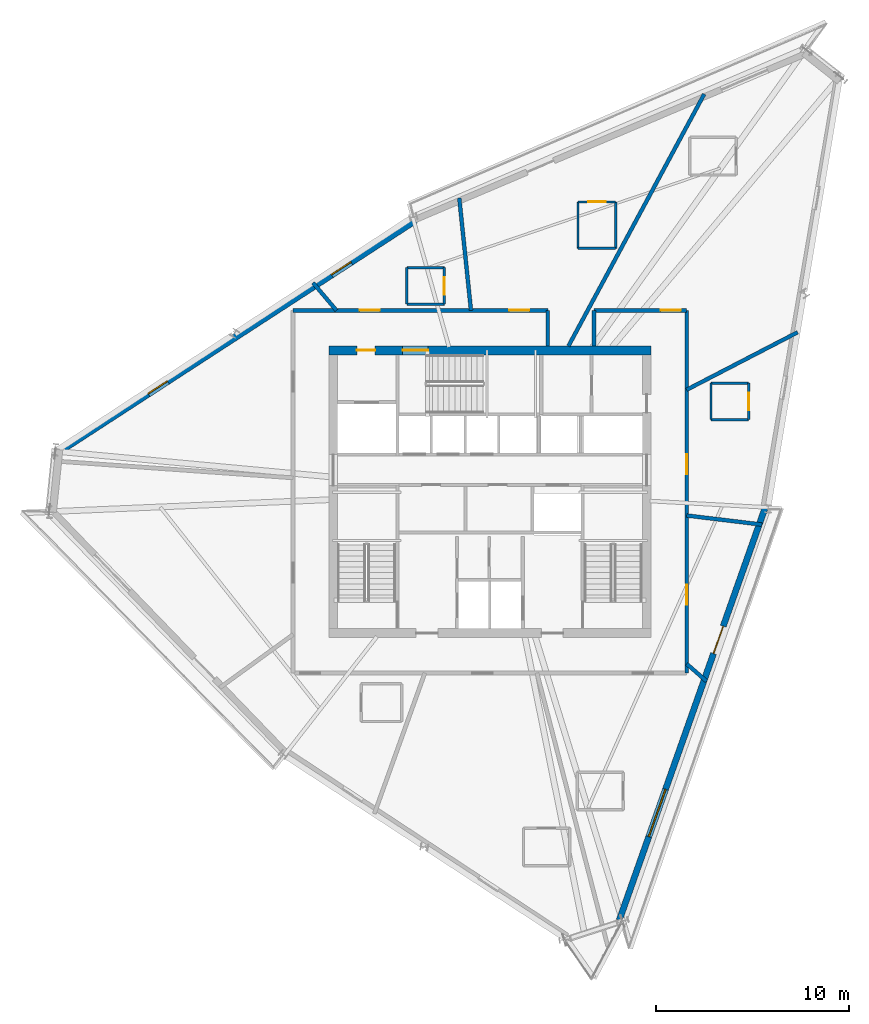
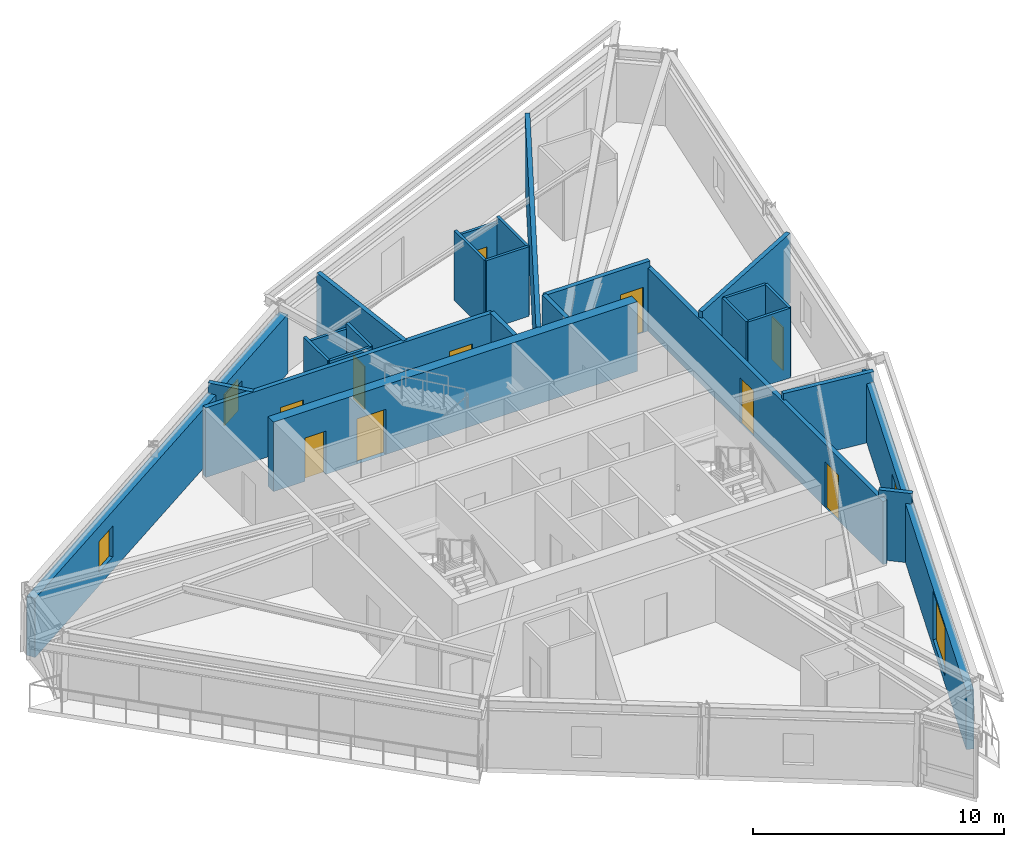
# One storey, part 9 of 13: 26 walls, 11 doors, 3 windows, 14 openings.
"""IFC4 building model written with IfcOpenShell, lengths in metres."""

import ifcopenshell
import ifcopenshell.guid

model = None  # the IFC model being written
_history = None  # IfcOwnerHistory: only IFC2X3 demands one
_inside = {}  # id of a spatial element -> (the spatial element, [elements in it])
_under = {}  # id of a project, library or spatial element -> (it, [spatial elements below it])
_declared = {}  # id of a project -> (the project, [libraries it declares])
_typed = {}  # id of a type object -> (the type object, [elements of that type])
_made_of = {}  # id of a material, layer set ... -> (it, [elements and type objects made of it])


def new_model(schema):
    """Start an empty IFC model of exactly this schema.

    Asked for "IFC4X3", IfcOpenShell would pick the latest addendum, in which some entities
    have other attributes; the version numbers below select the first issue.
    IFC2X3 requires an IfcOwnerHistory on every rooted entity: one is made here for all.
    """
    global model, _history
    if schema == "IFC4X3":
        model = ifcopenshell.file(schema_version=(4, 3, 0, 0))
    else:
        model = ifcopenshell.file(schema=schema)
    _inside.clear()
    _under.clear()
    _declared.clear()
    _typed.clear()
    _made_of.clear()
    _history = None
    if model.schema == "IFC2X3":
        org = make("IfcOrganization", Name="unknown")
        user = make(
            "IfcPersonAndOrganization",
            ThePerson=make("IfcPerson", FamilyName="unknown"),
            TheOrganization=org,
        )
        app = make(
            "IfcApplication",
            ApplicationDeveloper=org,
            Version="unknown",
            ApplicationFullName="unknown",
            ApplicationIdentifier="unknown",
        )
        _history = make(
            "IfcOwnerHistory",
            OwningUser=user,
            OwningApplication=app,
            ChangeAction="ADDED",
            CreationDate=0,
        )
    return model


def make(cls, **values):
    """One entity of the class cls with the attributes given. An attribute that is None is left unset."""
    return model.create_entity(
        cls, **{name: value for name, value in values.items() if value is not None}
    )


def rooted(cls, **values):
    """An entity with a GlobalId (a new one), such as an element, a storey or a relation."""
    return make(cls, GlobalId=ifcopenshell.guid.new(), OwnerHistory=_history, **values)


def si_unit(unit_type, name, prefix=None):
    """IfcSIUnit, for example si_unit("LENGTHUNIT", "METRE", prefix="MILLI")."""
    return make("IfcSIUnit", UnitType=unit_type, Prefix=prefix, Name=name)


def assignment(units):
    """IfcUnitAssignment: the units of a project."""
    return None if units is None else make("IfcUnitAssignment", Units=units)


def point(xyz):
    """IfcCartesianPoint."""
    return None if xyz is None else make("IfcCartesianPoint", Coordinates=xyz)


def direction(xyz):
    """IfcDirection."""
    return None if xyz is None else make("IfcDirection", DirectionRatios=xyz)


def frame(location, z_axis=None, x_axis=None):
    """IfcAxis2Placement3D, a coordinate frame: its origin and axes. An axis left out is left unset."""
    return make(
        "IfcAxis2Placement3D",
        Location=point(location),
        Axis=direction(z_axis),
        RefDirection=direction(x_axis),
    )


def frame_2d(location, x_axis=None):
    """IfcAxis2Placement2D, a coordinate frame in the plane: its origin and x axis."""
    return make(
        "IfcAxis2Placement2D", Location=point(location), RefDirection=direction(x_axis)
    )


def origin():
    """The frame at (0, 0, 0) with its axes left unset."""
    return frame((0.0, 0.0, 0.0))


def place(relative_to, where):
    """IfcLocalPlacement: puts the frame where relative to a parent placement (None: the world)."""
    return make(
        "IfcLocalPlacement", PlacementRelTo=relative_to, RelativePlacement=where
    )


def context(
    kind, dimensions, precision=None, world=None, true_north=None, identifier=None
):
    """IfcGeometricRepresentationContext, for example the 3D "Model" context."""
    return make(
        "IfcGeometricRepresentationContext",
        ContextIdentifier=identifier,
        ContextType=kind,
        CoordinateSpaceDimension=dimensions,
        Precision=precision,
        WorldCoordinateSystem=world,
        TrueNorth=true_north,
    )


def subcontext(parent, identifier, kind, view, scale=None):
    """IfcGeometricRepresentationSubContext, for example "Body" below "Model"."""
    return make(
        "IfcGeometricRepresentationSubContext",
        ContextIdentifier=identifier,
        ContextType=kind,
        ParentContext=parent,
        TargetScale=scale,
        TargetView=view,
    )


def project(units=None, contexts=None):
    """IfcProject with its units and contexts."""
    return rooted(
        "IfcProject",
        Name="project",
        RepresentationContexts=contexts,
        UnitsInContext=assignment(units),
    )


def spatial(cls, under=None, at=None, **own):
    """A site, building, storey or space (cls), placed at a placement, below another one or the project."""
    s = rooted(cls, ObjectPlacement=at, **own)
    if under is not None:
        _under.setdefault(under.id(), (under, []))[1].append(s)
    return s


def profile(cls, at=None, kind="AREA", **sizes):
    """A parametric profile (cls). Its sizes go by their IFC names, for example OverallWidth=200.0."""
    return make(cls, ProfileType=kind, Position=at, **sizes)


def rectangle(**sizes):
    """IfcRectangleProfileDef."""
    return profile("IfcRectangleProfileDef", **sizes)


def extrude(swept, where, along, depth):
    """IfcExtrudedAreaSolid: the profile swept, set in the frame where, extruded along a direction by depth."""
    return make(
        "IfcExtrudedAreaSolid",
        SweptArea=swept,
        Position=where,
        ExtrudedDirection=direction(along),
        Depth=depth,
    )


def shape(context_of_items, identifier, shape_type, items):
    """IfcShapeRepresentation: the items that make up one representation, for example the "Body"."""
    return make(
        "IfcShapeRepresentation",
        ContextOfItems=context_of_items,
        RepresentationIdentifier=identifier,
        RepresentationType=shape_type,
        Items=items,
    )


def source(mapping_origin, context_of_items, identifier, shape_type, items):
    """IfcRepresentationMap: a shape defined once, which mapped items show again and again."""
    return make(
        "IfcRepresentationMap",
        MappingOrigin=mapping_origin,
        MappedRepresentation=shape(context_of_items, identifier, shape_type, items),
    )


def transform(
    local_origin,
    x_axis=None,
    y_axis=None,
    z_axis=None,
    scale=None,
    scale2=None,
    scale3=None,
    uniform=True,
):
    """IfcCartesianTransformationOperator3D, or its non-uniform kind. x_axis, y_axis, z_axis: its Axis1, 2, 3."""
    if uniform:
        return make(
            "IfcCartesianTransformationOperator3D",
            Axis1=direction(x_axis),
            Axis2=direction(y_axis),
            LocalOrigin=point(local_origin),
            Scale=scale,
            Axis3=direction(z_axis),
        )
    return make(
        "IfcCartesianTransformationOperator3DnonUniform",
        Axis1=direction(x_axis),
        Axis2=direction(y_axis),
        LocalOrigin=point(local_origin),
        Scale=scale,
        Axis3=direction(z_axis),
        Scale2=scale2,
        Scale3=scale3,
    )


def mapped(mapping_source, mapping_target):
    """IfcMappedItem: shows the shape of a source again, moved by a transform."""
    return make(
        "IfcMappedItem", MappingSource=mapping_source, MappingTarget=mapping_target
    )


def material(Name=None, Category=None):
    """IfcMaterial."""
    return make("IfcMaterial", Name=Name, Category=Category)


def layer(
    of_material, thickness, ventilated=None, Name=None, Category=None, Priority=None
):
    """IfcMaterialLayer: one layer of a wall or slab, of a material (None: an air gap)."""
    return make(
        "IfcMaterialLayer",
        Material=of_material,
        LayerThickness=thickness,
        IsVentilated=ventilated,
        Name=Name,
        Category=Category,
        Priority=Priority,
    )


def layer_set(layers, Name=None):
    """IfcMaterialLayerSet."""
    return make("IfcMaterialLayerSet", MaterialLayers=layers, LayerSetName=Name)


def made_of(thing, what):
    """Note that an element or type object is made of a material, layer set ...; save() writes the relation."""
    if what is not None:
        _made_of.setdefault(what.id(), (what, []))[1].append(thing)
    return thing


def type_object(cls, material=None, **own):
    """A type object (cls), such as IfcWallType, which elements share."""
    return made_of(rooted(cls, **own), material)


def type_shapes(of_type, sources):
    """Give a type object the sources (RepresentationMaps) that its elements show as mapped items."""
    of_type.RepresentationMaps = sources


def element(
    cls,
    number,
    at=None,
    inside=None,
    cuts=None,
    type_object=None,
    material=None,
    context=None,
    identifier="Body",
    shape_type=None,
    held_by="IfcProductDefinitionShape",
    body=None,
    shapes=None,
    **own,
):
    """One element of the class cls, such as IfcWall. Its Tag is "e" and its number.

    at: its placement. inside: the storey or other place that contains it. cuts: it is an
    opening in that element (IfcRelVoidsElement). A single representation is given by context,
    identifier, shape_type and body (its items); several are given by shapes. held_by: the class
    of the entity that holds the representations. save() writes the other relations.
    """
    e = rooted(cls, Tag="e%d" % number, ObjectPlacement=at, **own)
    if body is not None:
        shapes = [shape(context, identifier, shape_type, body)]
    if shapes is not None:
        e.Representation = make(held_by, Representations=shapes)
    if inside is not None:
        _inside.setdefault(inside.id(), (inside, []))[1].append(e)
    if cuts is not None:
        rooted(
            "IfcRelVoidsElement", RelatingBuildingElement=cuts, RelatedOpeningElement=e
        )
    if type_object is not None:
        _typed.setdefault(type_object.id(), (type_object, []))[1].append(e)
    return made_of(e, material)


def fill(opening, filler):
    """IfcRelFillsElement: the door or window that sits in an opening."""
    return rooted(
        "IfcRelFillsElement",
        RelatingOpeningElement=opening,
        RelatedBuildingElement=filler,
    )


def aggregate(whole, parts):
    """IfcRelAggregates: a whole, such as a stair, and the parts it consists of."""
    return rooted("IfcRelAggregates", RelatingObject=whole, RelatedObjects=parts)


def save(model, path):
    """Write the relations noted so far, then the file.

    IfcRelAggregates (storeys below a building ...), IfcRelContainedInSpatialStructure (elements
    in a storey), IfcRelDefinesByType, IfcRelAssociatesMaterial and IfcRelDeclares: one each for
    every whole, place, type object, material and project.
    """
    for whole, parts in _under.values():
        aggregate(whole, parts)
    for where, things in _inside.values():
        rooted(
            "IfcRelContainedInSpatialStructure",
            RelatedElements=things,
            RelatingStructure=where,
        )
    for kind, things in _typed.values():
        rooted("IfcRelDefinesByType", RelatedObjects=things, RelatingType=kind)
    for what, things in _made_of.values():
        rooted("IfcRelAssociatesMaterial", RelatedObjects=things, RelatingMaterial=what)
    for by, libraries in _declared.values():
        rooted("IfcRelDeclares", RelatingContext=by, RelatedDefinitions=libraries)
    model.write(path)


model = new_model("IFC4")

# Units and contexts
model_context = context("Model", 3, precision=1e-05, world=origin(), true_north=direction((0.0, 1.0)))
body_context = subcontext(model_context, "Body", "Model", "MODEL_VIEW")
ifc_project = project(units=[si_unit("LENGTHUNIT", "METRE"), si_unit("AREAUNIT", "SQUARE_METRE"), si_unit("VOLUMEUNIT", "CUBIC_METRE"), si_unit("PLANEANGLEUNIT", "RADIAN"), si_unit("MASSUNIT", "GRAM", prefix="KILO")], contexts=[model_context])

# Site, building, storey
site_placement = place(None, origin())
site = spatial("IfcSite", under=ifc_project, at=site_placement, CompositionType="ELEMENT")
building_placement = place(site_placement, origin())
building = spatial("IfcBuilding", under=site, at=building_placement, Name="Olszyna Solenne Hotel", CompositionType="ELEMENT")
storey_placement = place(building_placement, frame((0.0, 0.0, 248.89990234375)))
storey = spatial("IfcBuildingStorey", under=building, at=storey_placement, Name="L66", CompositionType="ELEMENT", Elevation=248.89990234375)

# Wall, openings, doors
ifc_material_1 = material(Name="Concrete C50/60", Category="concrete")
ifc_layer_1 = layer(ifc_material_1, 0.449951171875, Name="Concrete C50/60")
ifc_layer_set_1 = layer_set([ifc_layer_1], Name="Concrete C50/60")
wall_type_1 = type_object("IfcWallType", Name="WL-CR450", PredefinedType="SHEAR", material=ifc_layer_set_1)
wall_1_placement = place(storey_placement, frame((29.64990234375, 33.925048828125, 0.0), z_axis=(0.0, 0.0, 1.0), x_axis=(1.0, 0.0, 0.0)))
wall_1 = element("IfcWall", 1, at=wall_1_placement, inside=storey, type_object=wall_type_1, Name="Core shear wall WL-CR450 CRW-L66-N", PredefinedType="SHEAR", context=body_context, shape_type="SweptSolid", body=[
    extrude(rectangle(XDim=16.7001953125, YDim=0.449951171875, at=frame_2d((8.35009765625, 0.0))), origin(), (0.0, 0.0, 1.0), 3.380126953125),
])
opening_1_placement = place(wall_1_placement, frame((1.449951171875, 0.0, 0.0)))
opening_1 = element("IfcOpeningElement", 2, at=opening_1_placement, cuts=wall_1, Name="Opening SVD-L66-01", PredefinedType="OPENING", context=body_context, shape_type="SweptSolid", body=[
    extrude(rectangle(XDim=0.949951171875, YDim=2.10009765625, at=frame_2d((0.47509765625, 1.050048828125))), frame((0.0, 0.23486328125, 0.0), z_axis=(0.0, -1.0, 0.0), x_axis=(1.0, 0.0, 0.0)), (0.0, 0.0, 1.0), 0.469970703125),
])
opening_2_placement = place(wall_1_placement, frame((3.830078125, 0.0, 0.0)))
opening_2 = element("IfcOpeningElement", 3, at=opening_2_placement, cuts=wall_1, Name="Opening STD-L66-03", PredefinedType="OPENING", context=body_context, shape_type="SweptSolid", body=[
    extrude(rectangle(XDim=1.320068359375, YDim=2.199951171875, at=frame_2d((0.66015625, 1.10009765625))), frame((0.0, 0.23486328125, 0.0), z_axis=(0.0, -1.0, 0.0), x_axis=(1.0, 0.0, 0.0)), (0.0, 0.0, 1.0), 0.469970703125),
])
ifc_material_2 = material(Name="Steel S355J2", Category="steel")
door_type_1 = type_object("IfcDoorType", Name="DR-ST1", OperationType="NOTDEFINED", PredefinedType="DOOR", material=ifc_material_2)
shared_shape_1 = source(origin(), body_context, "Body", "SweptSolid", [
    extrude(rectangle(XDim=1.320068359375, YDim=2.199951171875, at=frame_2d((0.66015625, 1.10009765625))), frame((0.0, 0.02490234375, 0.0), z_axis=(0.0, -1.0, 0.0), x_axis=(1.0, 0.0, 0.0)), (0.0, 0.0, 1.0), 0.050048828125),
])
type_shapes(door_type_1, [shared_shape_1])
door_1_placement = place(opening_2_placement, origin())
door_1 = element("IfcDoor", 4, at=door_1_placement, inside=storey, type_object=door_type_1, Name="Pressurised exit stair ST3 fire door STD-L66-03", OperationType="SINGLE_SWING_RIGHT", OverallHeight=2.199951171875, OverallWidth=1.320068359375, PredefinedType="DOOR", context=body_context, shape_type="MappedRepresentation", body=[
    mapped(shared_shape_1, transform((0.0, 0.0, 0.0), x_axis=(1.0, 0.0, 0.0), y_axis=(0.0, 1.0, 0.0), z_axis=(0.0, 0.0, 1.0), scale=1.0)),
])
fill(opening_2, door_1)
door_type_2 = type_object("IfcDoorType", Name="DR-SV1", OperationType="NOTDEFINED", PredefinedType="DOOR", material=ifc_material_2)
shared_shape_2 = source(origin(), body_context, "Body", "SweptSolid", [
    extrude(rectangle(XDim=0.949951171875, YDim=2.10009765625, at=frame_2d((0.47509765625, 1.050048828125))), frame((0.0, 0.02490234375, 0.0), z_axis=(0.0, -1.0, 0.0), x_axis=(1.0, 0.0, 0.0)), (0.0, 0.0, 1.0), 0.050048828125),
])
type_shapes(door_type_2, [shared_shape_2])
door_2_placement = place(opening_1_placement, origin())
door_2 = element("IfcDoor", 5, at=door_2_placement, inside=storey, type_object=door_type_2, Name="Service lift lobby fire door SVD-L66-01", OperationType="SINGLE_SWING_LEFT", OverallHeight=2.10009765625, OverallWidth=0.949951171875, PredefinedType="DOOR", context=body_context, shape_type="MappedRepresentation", body=[
    mapped(shared_shape_2, transform((0.0, 0.0, 0.0), x_axis=(1.0, 0.0, 0.0), y_axis=(0.0, 1.0, 0.0), z_axis=(0.0, 0.0, 1.0), scale=1.0)),
])
fill(opening_1, door_2)

# Wall, openings, door, window
ifc_material_3 = material(Name="Precast concrete C45/55", Category="concrete")
ifc_layer_2 = layer(ifc_material_3, 0.320068359375, Name="Precast concrete C45/55")
ifc_layer_set_2 = layer_set([ifc_layer_2], Name="Precast concrete C45/55")
wall_type_2 = type_object("IfcWallType", Name="WL-EX320", PredefinedType="SOLIDWALL", material=ifc_layer_set_2)
wall_2_placement = place(storey_placement, frame((52.260986328125, 25.7548828125, 0.0), z_axis=(0.0, 0.0, 1.0), x_axis=(-0.333397626213, -0.94278630815, 0.0)))
wall_2 = element("IfcWall", 6, at=wall_2_placement, inside=storey, type_object=wall_type_2, Name="Exterior terracotta-precast frame wall WL-EX320 EW-L66-01", PredefinedType="SOLIDWALL", context=body_context, shape_type="SweptSolid", body=[
    extrude(rectangle(XDim=22.663330078125, YDim=0.320068359375, at=frame_2d((11.33154296875, 0.0))), origin(), (0.0, 0.0, 1.0), 2.8720703125),
])
opening_3_placement = place(wall_2_placement, frame((6.501953125, 0.0, 0.0)))
opening_3 = element("IfcOpeningElement", 7, at=opening_3_placement, cuts=wall_2, Name="Opening LDG-L66-3", PredefinedType="OPENING", context=body_context, shape_type="SweptSolid", body=[
    extrude(rectangle(XDim=1.5, YDim=2.300048828125, at=frame_2d((0.75, 1.14990234375))), frame((0.0, 0.169921875, 0.0), z_axis=(0.0, -1.0, 0.0), x_axis=(1.0, 0.0, 0.0)), (0.0, 0.0, 1.0), 0.340087890625),
])
opening_4_placement = place(wall_2_placement, frame((15.470947265625, 0.0, 0.402099609375)))
opening_4 = element("IfcOpeningElement", 8, at=opening_4_placement, cuts=wall_2, Name="Opening WN-L66-432", PredefinedType="OPENING", context=body_context, shape_type="SweptSolid", body=[
    extrude(rectangle(XDim=2.60009765625, YDim=2.35009765625, at=frame_2d((1.300048828125, 1.175048828125))), frame((0.0, 0.169921875, 0.0), z_axis=(0.0, -1.0, 0.0), x_axis=(1.0, 0.0, 0.0)), (0.0, 0.0, 1.0), 0.340087890625),
])
ifc_material_4 = material(Name="Anodised bronze aluminium", Category="aluminium")
door_type_3 = type_object("IfcDoorType", Name="DR-LG2", OperationType="DOUBLE_DOOR_SINGLE_SWING", PredefinedType="DOOR", material=ifc_material_4)
shared_shape_3 = source(origin(), body_context, "Body", "SweptSolid", [
    extrude(rectangle(XDim=1.5, YDim=2.300048828125, at=frame_2d((0.75, 1.14990234375))), frame((0.0, 0.02490234375, 0.0), z_axis=(0.0, -1.0, 0.0), x_axis=(1.0, 0.0, 0.0)), (0.0, 0.0, 1.0), 0.050048828125),
])
type_shapes(door_type_3, [shared_shape_3])
door_3_placement = place(opening_3_placement, origin())
door_3 = element("IfcDoor", 9, at=door_3_placement, inside=storey, type_object=door_type_3, Name="Exterior loggia balcony door DR-LG2 LDG-L66-3", OperationType="DOUBLE_DOOR_SINGLE_SWING", OverallHeight=2.300048828125, OverallWidth=1.5, PredefinedType="DOOR", context=body_context, shape_type="MappedRepresentation", body=[
    mapped(shared_shape_3, transform((0.0, 0.0, 0.0), x_axis=(1.0, 0.0, 0.0), y_axis=(0.0, 1.0, 0.0), z_axis=(0.0, 0.0, 1.0), scale=1.0)),
])
fill(opening_3, door_3)
ifc_material_5 = material(Name="Low-E triple glazing", Category="glass")
window_type_1 = type_object("IfcWindowType", Name="WN-ST1", PartitioningType="SINGLE_PANEL", PredefinedType="WINDOW", material=ifc_material_5)
shared_shape_4 = source(origin(), body_context, "Body", "SweptSolid", [
    extrude(rectangle(XDim=2.60009765625, YDim=2.35009765625, at=frame_2d((1.300048828125, 1.175048828125))), frame((0.0, 0.030029296875, 0.0), z_axis=(0.0, -1.0, 0.0), x_axis=(1.0, 0.0, 0.0)), (0.0, 0.0, 1.0), 0.06005859375),
])
type_shapes(window_type_1, [shared_shape_4])
window_1_placement = place(opening_4_placement, origin())
window_1 = element("IfcWindow", 10, at=window_1_placement, inside=storey, type_object=window_type_1, Name="Loggia room window WN-ST1 WN-L66-432", OverallHeight=2.35009765625, OverallWidth=2.60009765625, PartitioningType="SINGLE_PANEL", PredefinedType="WINDOW", context=body_context, shape_type="MappedRepresentation", body=[
    mapped(shared_shape_4, transform((0.0, 0.0, 0.0), x_axis=(1.0, 0.0, 0.0), y_axis=(0.0, 1.0, 0.0), z_axis=(0.0, 0.0, 1.0), scale=1.0)),
])
fill(opening_4, window_1)

# Wall, openings, windows
ifc_material_6 = material(Name="Terracotta cladding on precast concrete C45/55", Category="masonry")
ifc_layer_3 = layer(ifc_material_6, 0.3798828125, Name="Terracotta cladding on precast concrete C45/55")
ifc_layer_set_3 = layer_set([ifc_layer_3], Name="Terracotta cladding on precast concrete C45/55")
wall_type_3 = type_object("IfcWallType", Name="WL-EX380", PredefinedType="SOLIDWALL", material=ifc_layer_set_3)
wall_3_placement = place(storey_placement, frame((15.583984375, 28.63671875, 0.0), z_axis=(0.0, 0.0, 1.0), x_axis=(0.838692120157, 0.544605846083, 0.0)))
wall_3 = element("IfcWall", 11, at=wall_3_placement, inside=storey, type_object=wall_type_3, Name="Exterior terracotta-precast frame wall WL-EX380 EW-L66-07", PredefinedType="SOLIDWALL", context=body_context, shape_type="SweptSolid", body=[
    extrude(rectangle(XDim=22.1240234375, YDim=0.3798828125, at=frame_2d((11.06201171875, 0.0))), origin(), (0.0, 0.0, 1.0), 2.8720703125),
])
opening_5_placement = place(wall_3_placement, frame((5.594970703125, 0.0, 0.64990234375)))
opening_5 = element("IfcOpeningElement", 12, at=opening_5_placement, cuts=wall_3, Name="Opening WN-L66-436", PredefinedType="OPENING", context=body_context, shape_type="SweptSolid", body=[
    extrude(rectangle(XDim=1.199951171875, YDim=1.5, at=frame_2d((0.60009765625, 0.75))), frame((0.0, 0.199951171875, 0.0), z_axis=(0.0, -1.0, 0.0), x_axis=(1.0, 0.0, 0.0)), (0.0, 0.0, 1.0), 0.39990234375),
])
opening_6_placement = place(wall_3_placement, frame((16.928955078125, 0.0, 0.64990234375)))
opening_6 = element("IfcOpeningElement", 13, at=opening_6_placement, cuts=wall_3, Name="Opening WN-L66-437", PredefinedType="OPENING", context=body_context, shape_type="SweptSolid", body=[
    extrude(rectangle(XDim=1.199951171875, YDim=1.5, at=frame_2d((0.60009765625, 0.75))), frame((0.0, 0.199951171875, 0.0), z_axis=(0.0, -1.0, 0.0), x_axis=(1.0, 0.0, 0.0)), (0.0, 0.0, 1.0), 0.39990234375),
])
window_type_2 = type_object("IfcWindowType", Name="WN-B1", PartitioningType="SINGLE_PANEL", PredefinedType="WINDOW", material=ifc_material_5)
shared_shape_5 = source(origin(), body_context, "Body", "SweptSolid", [
    extrude(rectangle(XDim=1.199951171875, YDim=1.5, at=frame_2d((0.60009765625, 0.75))), frame((0.0, 0.030029296875, 0.0), z_axis=(0.0, -1.0, 0.0), x_axis=(1.0, 0.0, 0.0)), (0.0, 0.0, 1.0), 0.06005859375),
])
type_shapes(window_type_2, [shared_shape_5])
window_2_placement = place(opening_5_placement, origin())
window_2 = element("IfcWindow", 14, at=window_2_placement, inside=storey, type_object=window_type_2, Name="Exterior facade window WN-B1 WN-L66-436", OverallHeight=1.5, OverallWidth=1.199951171875, PartitioningType="SINGLE_PANEL", PredefinedType="WINDOW", context=body_context, shape_type="MappedRepresentation", body=[
    mapped(shared_shape_5, transform((0.0, 0.0, 0.0), x_axis=(1.0, 0.0, 0.0), y_axis=(0.0, 1.0, 0.0), z_axis=(0.0, 0.0, 1.0), scale=1.0)),
])
fill(opening_5, window_2)
window_3_placement = place(opening_6_placement, origin())
window_3 = element("IfcWindow", 15, at=window_3_placement, inside=storey, type_object=window_type_2, Name="Exterior facade window WN-B1 WN-L66-437", OverallHeight=1.5, OverallWidth=1.199951171875, PartitioningType="SINGLE_PANEL", PredefinedType="WINDOW", context=body_context, shape_type="MappedRepresentation", body=[
    mapped(shared_shape_5, transform((0.0, 0.0, 0.0), x_axis=(1.0, 0.0, 0.0), y_axis=(0.0, 1.0, 0.0), z_axis=(0.0, 0.0, 1.0), scale=1.0)),
])
fill(opening_6, window_3)

# Wall, opening, door
ifc_material_7 = material(Name="Acoustic gypsum partition", Category="gypsum")
ifc_layer_4 = layer(ifc_material_7, 0.125, Name="Acoustic gypsum partition")
ifc_layer_set_4 = layer_set([ifc_layer_4], Name="Acoustic gypsum partition")
wall_type_4 = type_object("IfcWallType", Name="WL-PT125", PredefinedType="PARTITIONING", material=ifc_layer_set_4)
wall_4_placement = place(storey_placement, frame((51.409912109375, 30.333984375, 0.0), z_axis=(0.0, 0.0, 1.0), x_axis=(0.0, 1.0, 0.0)))
wall_4 = element("IfcWall", 16, at=wall_4_placement, inside=storey, type_object=wall_type_4, Name="Interior acoustic partition WL-PT125 PW-L66-3667", PredefinedType="PARTITIONING", context=body_context, shape_type="SweptSolid", body=[
    extrude(rectangle(XDim=1.89990234375, YDim=0.125, at=frame_2d((0.949951171875, 0.0))), origin(), (0.0, 0.0, 1.0), 3.380126953125),
])
opening_7_placement = place(wall_4_placement, frame((0.5, 0.0, 0.0)))
opening_7 = element("IfcOpeningElement", 17, at=opening_7_placement, cuts=wall_4, Name="Opening DR-L66-0890", PredefinedType="OPENING", context=body_context, shape_type="SweptSolid", body=[
    extrude(rectangle(XDim=0.89990234375, YDim=2.10009765625, at=frame_2d((0.449951171875, 1.050048828125))), frame((0.0, 0.072509765625, 0.0), z_axis=(0.0, -1.0, 0.0), x_axis=(1.0, 0.0, 0.0)), (0.0, 0.0, 1.0), 0.14501953125),
])
ifc_material_8 = material(Name="Timber hardwood", Category="wood")
door_type_4 = type_object("IfcDoorType", Name="DR-WC1", OperationType="NOTDEFINED", PredefinedType="DOOR", material=ifc_material_8)
shared_shape_6 = source(origin(), body_context, "Body", "SweptSolid", [
    extrude(rectangle(XDim=0.89990234375, YDim=2.10009765625, at=frame_2d((0.449951171875, 1.050048828125))), frame((0.0, 0.02490234375, 0.0), z_axis=(0.0, -1.0, 0.0), x_axis=(1.0, 0.0, 0.0)), (0.0, 0.0, 1.0), 0.050048828125),
])
type_shapes(door_type_4, [shared_shape_6])
door_4_placement = place(opening_7_placement, origin())
door_4 = element("IfcDoor", 18, at=door_4_placement, inside=storey, type_object=door_type_4, Name="En-Suite Bathroom Door DR-L66-0890", OperationType="SINGLE_SWING_RIGHT", OverallHeight=2.10009765625, OverallWidth=0.89990234375, PredefinedType="DOOR", context=body_context, shape_type="MappedRepresentation", body=[
    mapped(shared_shape_6, transform((0.0, 0.0, 0.0), x_axis=(1.0, 0.0, 0.0), y_axis=(0.0, 1.0, 0.0), z_axis=(0.0, 0.0, 1.0), scale=1.0)),
])
fill(opening_7, door_4)

# Walls
wall_5_placement = place(storey_placement, frame((51.409912109375, 32.23388671875, 0.0), z_axis=(0.0, 0.0, 1.0), x_axis=(-1.0, 0.0, 0.0)))
element("IfcWall", 19, at=wall_5_placement, inside=storey, type_object=wall_type_4, Name="Interior acoustic partition WL-PT125 PW-L66-3668", PredefinedType="PARTITIONING", context=body_context, shape_type="SweptSolid", body=[
    extrude(rectangle(XDim=1.949951171875, YDim=0.125, at=frame_2d((0.97509765625, 0.0))), origin(), (0.0, 0.0, 1.0), 3.380126953125),
])
wall_6_placement = place(storey_placement, frame((49.4599609375, 32.23388671875, 0.0), z_axis=(0.0, 0.0, 1.0), x_axis=(0.0, -1.0, 0.0)))
element("IfcWall", 20, at=wall_6_placement, inside=storey, type_object=wall_type_4, Name="Interior acoustic partition WL-PT125 PW-L66-3669", PredefinedType="PARTITIONING", context=body_context, shape_type="SweptSolid", body=[
    extrude(rectangle(XDim=1.89990234375, YDim=0.125, at=frame_2d((0.949951171875, 0.0))), origin(), (0.0, 0.0, 1.0), 3.380126953125),
])
wall_7_placement = place(storey_placement, frame((49.4599609375, 30.333984375, 0.0), z_axis=(0.0, 0.0, 1.0), x_axis=(1.0, 0.0, 0.0)))
element("IfcWall", 21, at=wall_7_placement, inside=storey, type_object=wall_type_4, Name="Interior acoustic partition WL-PT125 PW-L66-3670", PredefinedType="PARTITIONING", context=body_context, shape_type="SweptSolid", body=[
    extrude(rectangle(XDim=1.949951171875, YDim=0.125, at=frame_2d((0.97509765625, 0.0))), origin(), (0.0, 0.0, 1.0), 3.380126953125),
])
wall_8_placement = place(storey_placement, frame((44.51611328125, 39.219970703125, 0.0), z_axis=(0.0, 0.0, 1.0), x_axis=(0.0, 1.0, 0.0)))
element("IfcWall", 22, at=wall_8_placement, inside=storey, type_object=wall_type_4, Name="Interior acoustic partition WL-PT125 PW-L66-3675", PredefinedType="PARTITIONING", context=body_context, shape_type="SweptSolid", body=[
    extrude(rectangle(XDim=2.400146484375, YDim=0.125, at=frame_2d((1.2001953125, 0.0))), origin(), (0.0, 0.0, 1.0), 3.380126953125),
])

# Wall, opening, door
wall_9_placement = place(storey_placement, frame((44.51611328125, 41.6201171875, 0.0), z_axis=(0.0, 0.0, 1.0), x_axis=(-1.0, 0.0, 0.0)))
wall_9 = element("IfcWall", 23, at=wall_9_placement, inside=storey, type_object=wall_type_4, Name="Interior acoustic partition WL-PT125 PW-L66-3676", PredefinedType="PARTITIONING", context=body_context, shape_type="SweptSolid", body=[
    extrude(rectangle(XDim=1.9501953125, YDim=0.125, at=frame_2d((0.97509765625, 0.0))), origin(), (0.0, 0.0, 1.0), 3.125),
])
opening_8_placement = place(wall_9_placement, frame((0.52490234375, 0.0, 0.0)))
opening_8 = element("IfcOpeningElement", 24, at=opening_8_placement, cuts=wall_9, Name="Opening DR-L66-0892", PredefinedType="OPENING", context=body_context, shape_type="SweptSolid", body=[
    extrude(rectangle(XDim=0.89990234375, YDim=2.10009765625, at=frame_2d((0.449951171875, 1.050048828125))), frame((0.0, 0.072509765625, 0.0), z_axis=(0.0, -1.0, 0.0), x_axis=(1.0, 0.0, 0.0)), (0.0, 0.0, 1.0), 0.14501953125),
])
door_5_placement = place(opening_8_placement, origin())
door_5 = element("IfcDoor", 25, at=door_5_placement, inside=storey, type_object=door_type_4, Name="En-Suite Bathroom Door DR-L66-0892", OperationType="SINGLE_SWING_LEFT", OverallHeight=2.10009765625, OverallWidth=0.89990234375, PredefinedType="DOOR", context=body_context, shape_type="MappedRepresentation", body=[
    mapped(shared_shape_6, transform((0.0, 0.0, 0.0), x_axis=(1.0, 0.0, 0.0), y_axis=(0.0, 1.0, 0.0), z_axis=(0.0, 0.0, 1.0), scale=1.0)),
])
fill(opening_8, door_5)

# Walls
wall_10_placement = place(storey_placement, frame((42.56591796875, 41.6201171875, 0.0), z_axis=(0.0, 0.0, 1.0), x_axis=(0.0, -1.0, 0.0)))
element("IfcWall", 26, at=wall_10_placement, inside=storey, type_object=wall_type_4, Name="Interior acoustic partition WL-PT125 PW-L66-3677", PredefinedType="PARTITIONING", context=body_context, shape_type="SweptSolid", body=[
    extrude(rectangle(XDim=2.400146484375, YDim=0.125, at=frame_2d((1.2001953125, 0.0))), origin(), (0.0, 0.0, 1.0), 3.380126953125),
])
wall_11_placement = place(storey_placement, frame((42.56591796875, 39.219970703125, 0.0), z_axis=(0.0, 0.0, 1.0), x_axis=(1.0, 0.0, 0.0)))
element("IfcWall", 27, at=wall_11_placement, inside=storey, type_object=wall_type_4, Name="Interior acoustic partition WL-PT125 PW-L66-3678", PredefinedType="PARTITIONING", context=body_context, shape_type="SweptSolid", body=[
    extrude(rectangle(XDim=1.9501953125, YDim=0.125, at=frame_2d((0.97509765625, 0.0))), origin(), (0.0, 0.0, 1.0), 3.380126953125),
])

# Wall, opening, door
wall_12_placement = place(storey_placement, frame((35.638916015625, 36.321044921875, 0.0), z_axis=(0.0, 0.0, 1.0), x_axis=(0.0, 1.0, 0.0)))
wall_12 = element("IfcWall", 28, at=wall_12_placement, inside=storey, type_object=wall_type_4, Name="Interior acoustic partition WL-PT125 PW-L66-3679", PredefinedType="PARTITIONING", context=body_context, shape_type="SweptSolid", body=[
    extrude(rectangle(XDim=1.89990234375, YDim=0.125, at=frame_2d((0.949951171875, 0.0))), origin(), (0.0, 0.0, 1.0), 3.380126953125),
])
opening_9_placement = place(wall_12_placement, frame((0.5, 0.0, 0.0)))
opening_9 = element("IfcOpeningElement", 29, at=opening_9_placement, cuts=wall_12, Name="Opening DR-L66-0893", PredefinedType="OPENING", context=body_context, shape_type="SweptSolid", body=[
    extrude(rectangle(XDim=0.89990234375, YDim=2.10009765625, at=frame_2d((0.449951171875, 1.050048828125))), frame((0.0, 0.072509765625, 0.0), z_axis=(0.0, -1.0, 0.0), x_axis=(1.0, 0.0, 0.0)), (0.0, 0.0, 1.0), 0.14501953125),
])
door_6_placement = place(opening_9_placement, origin())
door_6 = element("IfcDoor", 30, at=door_6_placement, inside=storey, type_object=door_type_4, Name="En-Suite Bathroom Door DR-L66-0893", OperationType="SINGLE_SWING_RIGHT", OverallHeight=2.10009765625, OverallWidth=0.89990234375, PredefinedType="DOOR", context=body_context, shape_type="MappedRepresentation", body=[
    mapped(shared_shape_6, transform((0.0, 0.0, 0.0), x_axis=(1.0, 0.0, 0.0), y_axis=(0.0, 1.0, 0.0), z_axis=(0.0, 0.0, 1.0), scale=1.0)),
])
fill(opening_9, door_6)

# Walls
wall_13_placement = place(storey_placement, frame((35.638916015625, 38.220947265625, 0.0), z_axis=(0.0, 0.0, 1.0), x_axis=(-1.0, 0.0, 0.0)))
element("IfcWall", 31, at=wall_13_placement, inside=storey, type_object=wall_type_4, Name="Interior acoustic partition WL-PT125 PW-L66-3680", PredefinedType="PARTITIONING", context=body_context, shape_type="SweptSolid", body=[
    extrude(rectangle(XDim=1.949951171875, YDim=0.125, at=frame_2d((0.97509765625, 0.0))), origin(), (0.0, 0.0, 1.0), 3.125),
])
wall_14_placement = place(storey_placement, frame((33.68896484375, 38.220947265625, 0.0), z_axis=(0.0, 0.0, 1.0), x_axis=(0.0, -1.0, 0.0)))
element("IfcWall", 32, at=wall_14_placement, inside=storey, type_object=wall_type_4, Name="Interior acoustic partition WL-PT125 PW-L66-3681", PredefinedType="PARTITIONING", context=body_context, shape_type="SweptSolid", body=[
    extrude(rectangle(XDim=1.89990234375, YDim=0.125, at=frame_2d((0.949951171875, 0.0))), origin(), (0.0, 0.0, 1.0), 3.380126953125),
])
wall_15_placement = place(storey_placement, frame((33.68896484375, 36.321044921875, 0.0), z_axis=(0.0, 0.0, 1.0), x_axis=(1.0, 0.0, 0.0)))
element("IfcWall", 33, at=wall_15_placement, inside=storey, type_object=wall_type_4, Name="Interior acoustic partition WL-PT125 PW-L66-3682", PredefinedType="PARTITIONING", context=body_context, shape_type="SweptSolid", body=[
    extrude(rectangle(XDim=1.949951171875, YDim=0.125, at=frame_2d((0.97509765625, 0.0))), origin(), (0.0, 0.0, 1.0), 3.380126953125),
])
ifc_layer_5 = layer(ifc_material_7, 0.199951171875, Name="Acoustic gypsum partition")
ifc_layer_set_5 = layer_set([ifc_layer_5], Name="Acoustic gypsum partition")
wall_type_5 = type_object("IfcWallType", Name="WL-PT200", PredefinedType="PARTITIONING", material=ifc_layer_set_5)
wall_16_placement = place(storey_placement, frame((48.199951171875, 17.67724609375, 0.0), z_axis=(0.0, 0.0, 1.0), x_axis=(0.752676622661, -0.658390387005, 0.0)))
element("IfcWall", 34, at=wall_16_placement, inside=storey, type_object=wall_type_5, Name="Interior acoustic partition WL-PT200 PW-L66-3651", PredefinedType="PARTITIONING", context=body_context, shape_type="SweptSolid", body=[
    extrude(rectangle(XDim=1.362060546875, YDim=0.199951171875, at=frame_2d((0.68115234375, 0.0))), origin(), (0.0, 0.0, 1.0), 3.380126953125),
])
wall_17_placement = place(storey_placement, frame((48.199951171875, 25.366943359375, 0.0), z_axis=(0.0, 0.0, 1.0), x_axis=(0.992770450303, -0.120028467479, 0.0)))
element("IfcWall", 35, at=wall_17_placement, inside=storey, type_object=wall_type_5, Name="Interior acoustic partition WL-PT200 PW-L66-3652", PredefinedType="PARTITIONING", context=body_context, shape_type="SweptSolid", body=[
    extrude(rectangle(XDim=3.923583984375, YDim=0.199951171875, at=frame_2d((1.9619140625, 0.0))), origin(), (0.0, 0.0, 1.0), 3.380126953125),
])
wall_18_placement = place(storey_placement, frame((48.199951171875, 31.885498046875, 0.0), z_axis=(0.0, 0.0, 1.0), x_axis=(0.887874845761, 0.460085055468, 0.0)))
element("IfcWall", 36, at=wall_18_placement, inside=storey, type_object=wall_type_5, Name="Interior acoustic partition WL-PT200 PW-L66-3653", PredefinedType="PARTITIONING", context=body_context, shape_type="SweptSolid", body=[
    extrude(rectangle(XDim=6.478515625, YDim=0.199951171875, at=frame_2d((3.2392578125, 0.0))), origin(), (0.0, 0.0, 1.0), 3.380126953125),
])
wall_19_placement = place(storey_placement, frame((42.06884765625, 34.14990234375, 0.0), z_axis=(0.0, 0.0, 1.0), x_axis=(0.474411767959, 0.880303058283, 0.0)))
element("IfcWall", 37, at=wall_19_placement, inside=storey, type_object=wall_type_5, Name="Interior acoustic partition WL-PT200 PW-L66-3654", PredefinedType="PARTITIONING", context=body_context, shape_type="SweptSolid", body=[
    extrude(rectangle(XDim=14.840087890625, YDim=0.199951171875, at=frame_2d((7.419921875, 0.0))), origin(), (0.0, 0.0, 1.0), 3.380126953125),
])
wall_20_placement = place(storey_placement, frame((37.017822265625, 36.0, 0.0), z_axis=(0.0, 0.0, 1.0), x_axis=(-0.103876913676, 0.994590160219, 0.0)))
element("IfcWall", 38, at=wall_20_placement, inside=storey, type_object=wall_type_5, Name="Interior acoustic partition WL-PT200 PW-L66-3655", PredefinedType="PARTITIONING", context=body_context, shape_type="SweptSolid", body=[
    extrude(rectangle(XDim=5.852294921875, YDim=0.199951171875, at=frame_2d((2.92626953125, 0.0))), origin(), (0.0, 0.0, 1.0), 3.380126953125),
])
wall_21_placement = place(storey_placement, frame((30.042236328125, 36.0, 0.0), z_axis=(0.0, 0.0, 1.0), x_axis=(-0.646099953322, 0.763252808916, 0.0)))
element("IfcWall", 39, at=wall_21_placement, inside=storey, type_object=wall_type_5, Name="Interior acoustic partition WL-PT200 PW-L66-3656", PredefinedType="PARTITIONING", context=body_context, shape_type="SweptSolid", body=[
    extrude(rectangle(XDim=1.87353515625, YDim=0.199951171875, at=frame_2d((0.936767578125, 0.0))), origin(), (0.0, 0.0, 1.0), 3.380126953125),
])

# Wall, openings, doors
wall_22_placement = place(storey_placement, frame((27.800048828125, 36.0, 0.0), z_axis=(0.0, 0.0, 1.0), x_axis=(1.0, 0.0, 0.0)))
wall_22 = element("IfcWall", 40, at=wall_22_placement, inside=storey, type_object=wall_type_5, Name="Interior acoustic partition WL-PT200 PW-L66-3689", PredefinedType="PARTITIONING", context=body_context, shape_type="SweptSolid", body=[
    extrude(rectangle(XDim=13.199951171875, YDim=0.199951171875, at=frame_2d((6.60009765625, 0.0))), origin(), (0.0, 0.0, 1.0), 3.380126953125),
])
opening_10_placement = place(wall_22_placement, frame((11.198974609375, 0.0, 0.0)))
opening_10 = element("IfcOpeningElement", 41, at=opening_10_placement, cuts=wall_22, Name="Opening DR-L66-0900", PredefinedType="OPENING", context=body_context, shape_type="SweptSolid", body=[
    extrude(rectangle(XDim=1.050048828125, YDim=2.199951171875, at=frame_2d((0.52490234375, 1.10009765625))), frame((0.0, 0.10986328125, 0.0), z_axis=(0.0, -1.0, 0.0), x_axis=(1.0, 0.0, 0.0)), (0.0, 0.0, 1.0), 0.219970703125),
])
opening_11_placement = place(wall_22_placement, frame((3.43994140625, 0.0, 0.0)))
opening_11 = element("IfcOpeningElement", 42, at=opening_11_placement, cuts=wall_22, Name="Opening DR-L66-0901", PredefinedType="OPENING", context=body_context, shape_type="SweptSolid", body=[
    extrude(rectangle(XDim=1.050048828125, YDim=2.199951171875, at=frame_2d((0.52490234375, 1.10009765625))), frame((0.0, 0.10986328125, 0.0), z_axis=(0.0, -1.0, 0.0), x_axis=(1.0, 0.0, 0.0)), (0.0, 0.0, 1.0), 0.219970703125),
])
door_type_5 = type_object("IfcDoorType", Name="DR-RM2", OperationType="NOTDEFINED", PredefinedType="DOOR", material=ifc_material_8)
shared_shape_7 = source(origin(), body_context, "Body", "SweptSolid", [
    extrude(rectangle(XDim=1.050048828125, YDim=2.199951171875, at=frame_2d((0.52490234375, 1.10009765625))), frame((0.0, 0.02490234375, 0.0), z_axis=(0.0, -1.0, 0.0), x_axis=(1.0, 0.0, 0.0)), (0.0, 0.0, 1.0), 0.050048828125),
])
type_shapes(door_type_5, [shared_shape_7])
door_7_placement = place(opening_10_placement, origin())
door_7 = element("IfcDoor", 43, at=door_7_placement, inside=storey, type_object=door_type_5, Name="Deluxe Hotel Guestroom Entrance Door DR-L66-0900", OperationType="SINGLE_SWING_LEFT", OverallHeight=2.199951171875, OverallWidth=1.050048828125, PredefinedType="DOOR", context=body_context, shape_type="MappedRepresentation", body=[
    mapped(shared_shape_7, transform((0.0, 0.0, 0.0), x_axis=(1.0, 0.0, 0.0), y_axis=(0.0, 1.0, 0.0), z_axis=(0.0, 0.0, 1.0), scale=1.0)),
])
fill(opening_10, door_7)
door_8_placement = place(opening_11_placement, origin())
door_8 = element("IfcDoor", 44, at=door_8_placement, inside=storey, type_object=door_type_5, Name="Deluxe Hotel Guestroom Entrance Door DR-L66-0901", OperationType="SINGLE_SWING_RIGHT", OverallHeight=2.199951171875, OverallWidth=1.050048828125, PredefinedType="DOOR", context=body_context, shape_type="MappedRepresentation", body=[
    mapped(shared_shape_7, transform((0.0, 0.0, 0.0), x_axis=(1.0, 0.0, 0.0), y_axis=(0.0, 1.0, 0.0), z_axis=(0.0, 0.0, 1.0), scale=1.0)),
])
fill(opening_11, door_8)

# Wall
wall_23_placement = place(storey_placement, frame((41.0, 34.14990234375, 0.0), z_axis=(0.0, 0.0, 1.0), x_axis=(0.0, 1.0, 0.0)))
element("IfcWall", 45, at=wall_23_placement, inside=storey, type_object=wall_type_5, Name="Interior acoustic partition WL-PT200 PW-L66-3690", PredefinedType="PARTITIONING", context=body_context, shape_type="SweptSolid", body=[
    extrude(rectangle(XDim=1.85009765625, YDim=0.199951171875, at=frame_2d((0.925048828125, 0.0))), origin(), (0.0, 0.0, 1.0), 3.380126953125),
])

# Wall, opening, door
wall_24_placement = place(storey_placement, frame((43.39990234375, 36.0, 0.0), z_axis=(0.0, 0.0, 1.0), x_axis=(1.0, 0.0, 0.0)))
wall_24 = element("IfcWall", 46, at=wall_24_placement, inside=storey, type_object=wall_type_5, Name="Interior acoustic partition WL-PT200 PW-L66-3691", PredefinedType="PARTITIONING", context=body_context, shape_type="SweptSolid", body=[
    extrude(rectangle(XDim=4.800048828125, YDim=0.199951171875, at=frame_2d((2.39990234375, 0.0))), origin(), (0.0, 0.0, 1.0), 3.380126953125),
])
opening_12_placement = place(wall_24_placement, frame((3.449951171875, 0.0, 0.0)))
opening_12 = element("IfcOpeningElement", 47, at=opening_12_placement, cuts=wall_24, Name="Opening DR-L66-0902", PredefinedType="OPENING", context=body_context, shape_type="SweptSolid", body=[
    extrude(rectangle(XDim=1.050048828125, YDim=2.199951171875, at=frame_2d((0.52490234375, 1.10009765625))), frame((0.0, 0.10986328125, 0.0), z_axis=(0.0, -1.0, 0.0), x_axis=(1.0, 0.0, 0.0)), (0.0, 0.0, 1.0), 0.219970703125),
])
door_9_placement = place(opening_12_placement, origin())
door_9 = element("IfcDoor", 48, at=door_9_placement, inside=storey, type_object=door_type_5, Name="Deluxe Hotel Guestroom Entrance Door DR-L66-0902", OperationType="SINGLE_SWING_RIGHT", OverallHeight=2.199951171875, OverallWidth=1.050048828125, PredefinedType="DOOR", context=body_context, shape_type="MappedRepresentation", body=[
    mapped(shared_shape_7, transform((0.0, 0.0, 0.0), x_axis=(1.0, 0.0, 0.0), y_axis=(0.0, 1.0, 0.0), z_axis=(0.0, 0.0, 1.0), scale=1.0)),
])
fill(opening_12, door_9)

# Wall
wall_25_placement = place(storey_placement, frame((43.39990234375, 34.14990234375, 0.0), z_axis=(0.0, 0.0, 1.0), x_axis=(0.0, 1.0, 0.0)))
element("IfcWall", 49, at=wall_25_placement, inside=storey, type_object=wall_type_5, Name="Interior acoustic partition WL-PT200 PW-L66-3692", PredefinedType="PARTITIONING", context=body_context, shape_type="SweptSolid", body=[
    extrude(rectangle(XDim=1.85009765625, YDim=0.199951171875, at=frame_2d((0.925048828125, 0.0))), origin(), (0.0, 0.0, 1.0), 3.380126953125),
])

# Wall, openings, doors
wall_26_placement = place(storey_placement, frame((48.199951171875, 17.199951171875, 0.0), z_axis=(0.0, 0.0, 1.0), x_axis=(0.0, 1.0, 0.0)))
wall_26 = element("IfcWall", 50, at=wall_26_placement, inside=storey, type_object=wall_type_5, Name="Interior acoustic partition WL-PT200 PW-L66-3693", PredefinedType="PARTITIONING", context=body_context, shape_type="SweptSolid", body=[
    extrude(rectangle(XDim=18.800048828125, YDim=0.199951171875, at=frame_2d((9.39990234375, 0.0))), origin(), (0.0, 0.0, 1.0), 3.065185546875),
])
opening_13_placement = place(wall_26_placement, frame((3.537109375, 0.0, 0.0)))
opening_13 = element("IfcOpeningElement", 51, at=opening_13_placement, cuts=wall_26, Name="Opening DR-L66-0903", PredefinedType="OPENING", context=body_context, shape_type="SweptSolid", body=[
    extrude(rectangle(XDim=1.050048828125, YDim=2.199951171875, at=frame_2d((0.52490234375, 1.10009765625))), frame((0.0, 0.10986328125, 0.0), z_axis=(0.0, -1.0, 0.0), x_axis=(1.0, 0.0, 0.0)), (0.0, 0.0, 1.0), 0.219970703125),
])
opening_14_placement = place(wall_26_placement, frame((10.2958984375, 0.0, 0.0)))
opening_14 = element("IfcOpeningElement", 52, at=opening_14_placement, cuts=wall_26, Name="Opening DR-L66-0904", PredefinedType="OPENING", context=body_context, shape_type="SweptSolid", body=[
    extrude(rectangle(XDim=1.050048828125, YDim=2.199951171875, at=frame_2d((0.52490234375, 1.10009765625))), frame((0.0, 0.10986328125, 0.0), z_axis=(0.0, -1.0, 0.0), x_axis=(1.0, 0.0, 0.0)), (0.0, 0.0, 1.0), 0.219970703125),
])
door_10_placement = place(opening_13_placement, origin())
door_10 = element("IfcDoor", 53, at=door_10_placement, inside=storey, type_object=door_type_5, Name="Deluxe Hotel Guestroom Entrance Door DR-L66-0903", OperationType="SINGLE_SWING_RIGHT", OverallHeight=2.199951171875, OverallWidth=1.050048828125, PredefinedType="DOOR", context=body_context, shape_type="MappedRepresentation", body=[
    mapped(shared_shape_7, transform((0.0, 0.0, 0.0), x_axis=(1.0, 0.0, 0.0), y_axis=(0.0, 1.0, 0.0), z_axis=(0.0, 0.0, 1.0), scale=1.0)),
])
fill(opening_13, door_10)
door_11_placement = place(opening_14_placement, origin())
door_11 = element("IfcDoor", 54, at=door_11_placement, inside=storey, type_object=door_type_5, Name="Deluxe Hotel Guestroom Entrance Door DR-L66-0904", OperationType="SINGLE_SWING_LEFT", OverallHeight=2.199951171875, OverallWidth=1.050048828125, PredefinedType="DOOR", context=body_context, shape_type="MappedRepresentation", body=[
    mapped(shared_shape_7, transform((0.0, 0.0, 0.0), x_axis=(1.0, 0.0, 0.0), y_axis=(0.0, 1.0, 0.0), z_axis=(0.0, 0.0, 1.0), scale=1.0)),
])
fill(opening_14, door_11)

save(model, "model.ifc")
